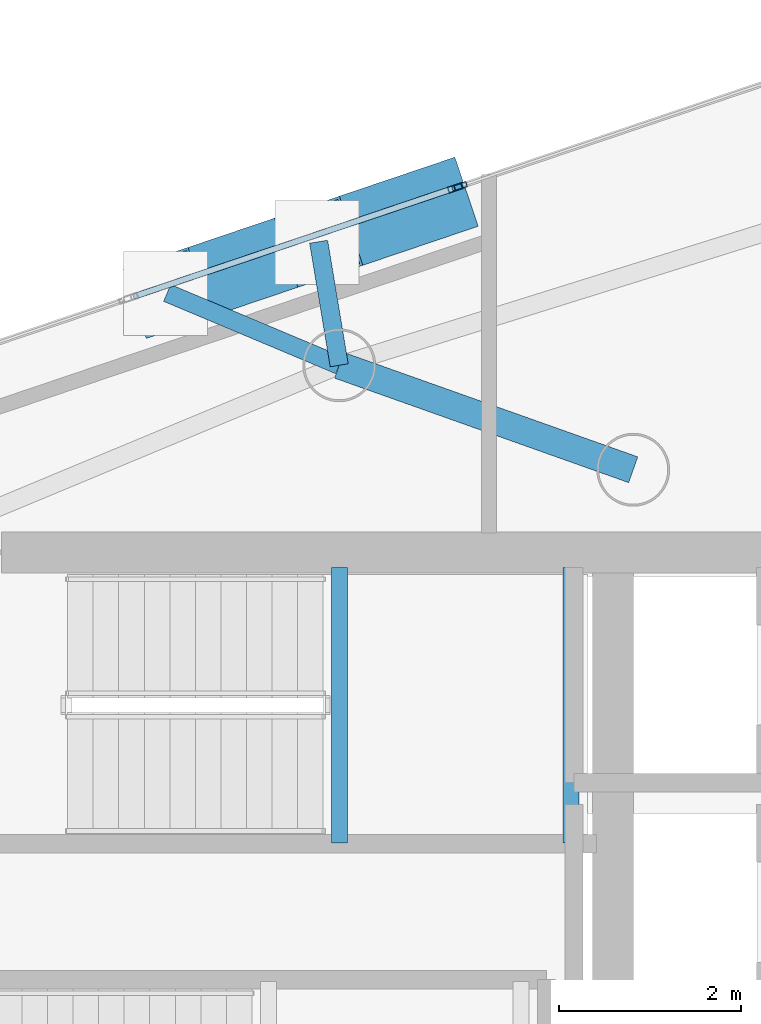
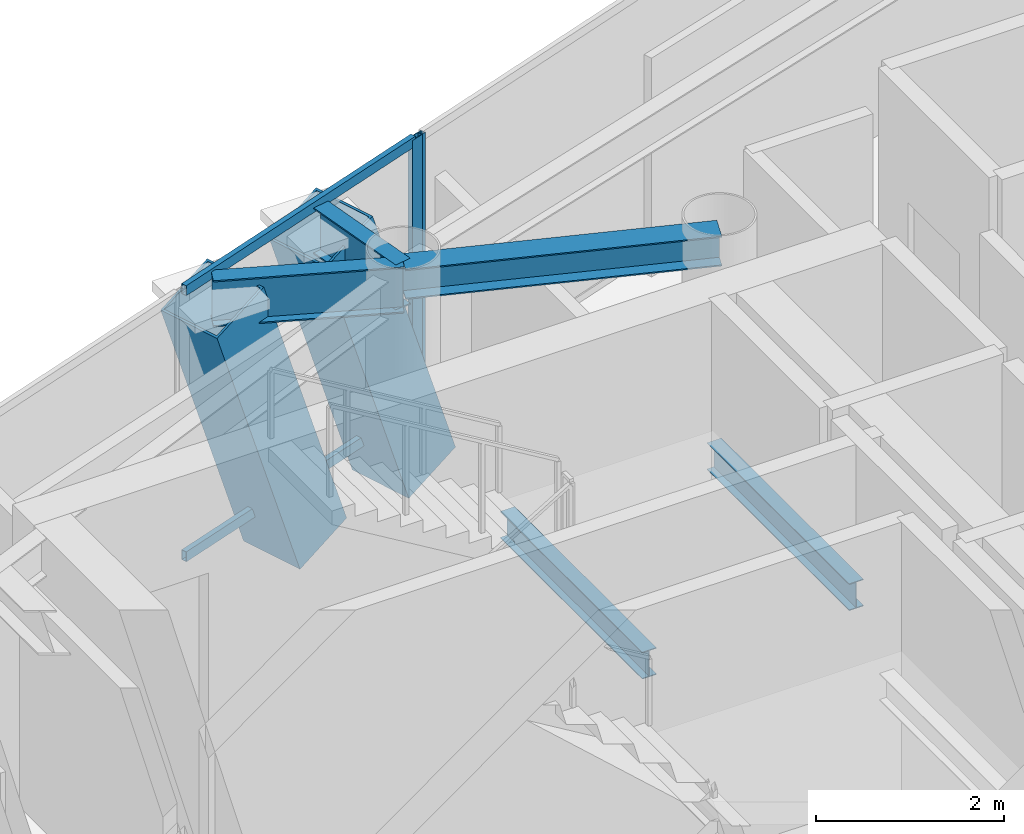
# One storey, part 13 of 19: 6 members, 5 beams, 2 elements without a shape of their own.
"""IFC4 building model written with IfcOpenShell, lengths in metres."""

import ifcopenshell
import ifcopenshell.guid

model = None  # the IFC model being written
_history = None  # IfcOwnerHistory: only IFC2X3 demands one
_inside = {}  # id of a spatial element -> (the spatial element, [elements in it])
_under = {}  # id of a project, library or spatial element -> (it, [spatial elements below it])
_declared = {}  # id of a project -> (the project, [libraries it declares])
_typed = {}  # id of a type object -> (the type object, [elements of that type])
_made_of = {}  # id of a material, layer set ... -> (it, [elements and type objects made of it])


def new_model(schema):
    """Start an empty IFC model of exactly this schema.

    Asked for "IFC4X3", IfcOpenShell would pick the latest addendum, in which some entities
    have other attributes; the version numbers below select the first issue.
    IFC2X3 requires an IfcOwnerHistory on every rooted entity: one is made here for all.
    """
    global model, _history
    if schema == "IFC4X3":
        model = ifcopenshell.file(schema_version=(4, 3, 0, 0))
    else:
        model = ifcopenshell.file(schema=schema)
    _inside.clear()
    _under.clear()
    _declared.clear()
    _typed.clear()
    _made_of.clear()
    _history = None
    if model.schema == "IFC2X3":
        org = make("IfcOrganization", Name="unknown")
        user = make(
            "IfcPersonAndOrganization",
            ThePerson=make("IfcPerson", FamilyName="unknown"),
            TheOrganization=org,
        )
        app = make(
            "IfcApplication",
            ApplicationDeveloper=org,
            Version="unknown",
            ApplicationFullName="unknown",
            ApplicationIdentifier="unknown",
        )
        _history = make(
            "IfcOwnerHistory",
            OwningUser=user,
            OwningApplication=app,
            ChangeAction="ADDED",
            CreationDate=0,
        )
    return model


def make(cls, **values):
    """One entity of the class cls with the attributes given. An attribute that is None is left unset."""
    return model.create_entity(
        cls, **{name: value for name, value in values.items() if value is not None}
    )


def rooted(cls, **values):
    """An entity with a GlobalId (a new one), such as an element, a storey or a relation."""
    return make(cls, GlobalId=ifcopenshell.guid.new(), OwnerHistory=_history, **values)


def si_unit(unit_type, name, prefix=None):
    """IfcSIUnit, for example si_unit("LENGTHUNIT", "METRE", prefix="MILLI")."""
    return make("IfcSIUnit", UnitType=unit_type, Prefix=prefix, Name=name)


def assignment(units):
    """IfcUnitAssignment: the units of a project."""
    return None if units is None else make("IfcUnitAssignment", Units=units)


def point(xyz):
    """IfcCartesianPoint."""
    return None if xyz is None else make("IfcCartesianPoint", Coordinates=xyz)


def direction(xyz):
    """IfcDirection."""
    return None if xyz is None else make("IfcDirection", DirectionRatios=xyz)


def frame(location, z_axis=None, x_axis=None):
    """IfcAxis2Placement3D, a coordinate frame: its origin and axes. An axis left out is left unset."""
    return make(
        "IfcAxis2Placement3D",
        Location=point(location),
        Axis=direction(z_axis),
        RefDirection=direction(x_axis),
    )


def frame_2d(location, x_axis=None):
    """IfcAxis2Placement2D, a coordinate frame in the plane: its origin and x axis."""
    return make(
        "IfcAxis2Placement2D", Location=point(location), RefDirection=direction(x_axis)
    )


def origin():
    """The frame at (0, 0, 0) with its axes left unset."""
    return frame((0.0, 0.0, 0.0))


def origin_2d():
    """The frame at (0, 0) in the plane with its x axis left unset."""
    return frame_2d((0.0, 0.0))


def place(relative_to, where):
    """IfcLocalPlacement: puts the frame where relative to a parent placement (None: the world)."""
    return make(
        "IfcLocalPlacement", PlacementRelTo=relative_to, RelativePlacement=where
    )


def context(
    kind, dimensions, precision=None, world=None, true_north=None, identifier=None
):
    """IfcGeometricRepresentationContext, for example the 3D "Model" context."""
    return make(
        "IfcGeometricRepresentationContext",
        ContextIdentifier=identifier,
        ContextType=kind,
        CoordinateSpaceDimension=dimensions,
        Precision=precision,
        WorldCoordinateSystem=world,
        TrueNorth=true_north,
    )


def subcontext(parent, identifier, kind, view, scale=None):
    """IfcGeometricRepresentationSubContext, for example "Body" below "Model"."""
    return make(
        "IfcGeometricRepresentationSubContext",
        ContextIdentifier=identifier,
        ContextType=kind,
        ParentContext=parent,
        TargetScale=scale,
        TargetView=view,
    )


def project(units=None, contexts=None):
    """IfcProject with its units and contexts."""
    return rooted(
        "IfcProject",
        Name="project",
        RepresentationContexts=contexts,
        UnitsInContext=assignment(units),
    )


def spatial(cls, under=None, at=None, **own):
    """A site, building, storey or space (cls), placed at a placement, below another one or the project."""
    s = rooted(cls, ObjectPlacement=at, **own)
    if under is not None:
        _under.setdefault(under.id(), (under, []))[1].append(s)
    return s


def profile(cls, at=None, kind="AREA", **sizes):
    """A parametric profile (cls). Its sizes go by their IFC names, for example OverallWidth=200.0."""
    return make(cls, ProfileType=kind, Position=at, **sizes)


def hollow_rectangle(**sizes):
    """IfcRectangleHollowProfileDef."""
    return profile("IfcRectangleHollowProfileDef", **sizes)


def i_section(**sizes):
    """IfcIShapeProfileDef."""
    return profile("IfcIShapeProfileDef", **sizes)


def extrude(swept, where, along, depth):
    """IfcExtrudedAreaSolid: the profile swept, set in the frame where, extruded along a direction by depth."""
    return make(
        "IfcExtrudedAreaSolid",
        SweptArea=swept,
        Position=where,
        ExtrudedDirection=direction(along),
        Depth=depth,
    )


def shape(context_of_items, identifier, shape_type, items):
    """IfcShapeRepresentation: the items that make up one representation, for example the "Body"."""
    return make(
        "IfcShapeRepresentation",
        ContextOfItems=context_of_items,
        RepresentationIdentifier=identifier,
        RepresentationType=shape_type,
        Items=items,
    )


def material(Name=None, Category=None):
    """IfcMaterial."""
    return make("IfcMaterial", Name=Name, Category=Category)


def layer(
    of_material, thickness, ventilated=None, Name=None, Category=None, Priority=None
):
    """IfcMaterialLayer: one layer of a wall or slab, of a material (None: an air gap)."""
    return make(
        "IfcMaterialLayer",
        Material=of_material,
        LayerThickness=thickness,
        IsVentilated=ventilated,
        Name=Name,
        Category=Category,
        Priority=Priority,
    )


def layer_set(layers, Name=None):
    """IfcMaterialLayerSet."""
    return make("IfcMaterialLayerSet", MaterialLayers=layers, LayerSetName=Name)


def material_profile(
    of_material, cross_section, Name=None, Category=None, Priority=None
):
    """IfcMaterialProfile: a cross section and its material."""
    return make(
        "IfcMaterialProfile",
        Name=Name,
        Material=of_material,
        Profile=cross_section,
        Priority=Priority,
        Category=Category,
    )


def profile_set(profiles, Name=None, composite=None):
    """IfcMaterialProfileSet."""
    return make(
        "IfcMaterialProfileSet",
        Name=Name,
        MaterialProfiles=profiles,
        CompositeProfile=composite,
    )


def made_of(thing, what):
    """Note that an element or type object is made of a material, layer set ...; save() writes the relation."""
    if what is not None:
        _made_of.setdefault(what.id(), (what, []))[1].append(thing)
    return thing


def type_object(cls, material=None, **own):
    """A type object (cls), such as IfcWallType, which elements share."""
    return made_of(rooted(cls, **own), material)


def element(
    cls,
    number,
    at=None,
    inside=None,
    cuts=None,
    type_object=None,
    material=None,
    context=None,
    identifier="Body",
    shape_type=None,
    held_by="IfcProductDefinitionShape",
    body=None,
    shapes=None,
    **own,
):
    """One element of the class cls, such as IfcWall. Its Tag is "e" and its number.

    at: its placement. inside: the storey or other place that contains it. cuts: it is an
    opening in that element (IfcRelVoidsElement). A single representation is given by context,
    identifier, shape_type and body (its items); several are given by shapes. held_by: the class
    of the entity that holds the representations. save() writes the other relations.
    """
    e = rooted(cls, Tag="e%d" % number, ObjectPlacement=at, **own)
    if body is not None:
        shapes = [shape(context, identifier, shape_type, body)]
    if shapes is not None:
        e.Representation = make(held_by, Representations=shapes)
    if inside is not None:
        _inside.setdefault(inside.id(), (inside, []))[1].append(e)
    if cuts is not None:
        rooted(
            "IfcRelVoidsElement", RelatingBuildingElement=cuts, RelatedOpeningElement=e
        )
    if type_object is not None:
        _typed.setdefault(type_object.id(), (type_object, []))[1].append(e)
    return made_of(e, material)


def aggregate(whole, parts):
    """IfcRelAggregates: a whole, such as a stair, and the parts it consists of."""
    return rooted("IfcRelAggregates", RelatingObject=whole, RelatedObjects=parts)


def save(model, path):
    """Write the relations noted so far, then the file.

    IfcRelAggregates (storeys below a building ...), IfcRelContainedInSpatialStructure (elements
    in a storey), IfcRelDefinesByType, IfcRelAssociatesMaterial and IfcRelDeclares: one each for
    every whole, place, type object, material and project.
    """
    for whole, parts in _under.values():
        aggregate(whole, parts)
    for where, things in _inside.values():
        rooted(
            "IfcRelContainedInSpatialStructure",
            RelatedElements=things,
            RelatingStructure=where,
        )
    for kind, things in _typed.values():
        rooted("IfcRelDefinesByType", RelatedObjects=things, RelatingType=kind)
    for what, things in _made_of.values():
        rooted("IfcRelAssociatesMaterial", RelatedObjects=things, RelatingMaterial=what)
    for by, libraries in _declared.values():
        rooted("IfcRelDeclares", RelatingContext=by, RelatedDefinitions=libraries)
    model.write(path)


model = new_model("IFC4")

# Units and contexts
model_context = context("Model", 3, precision=1e-05, world=origin(), true_north=direction((0.0, 1.0)))
body_context = subcontext(model_context, "Body", "Model", "MODEL_VIEW")
ifc_project = project(units=[si_unit("LENGTHUNIT", "METRE"), si_unit("AREAUNIT", "SQUARE_METRE"), si_unit("VOLUMEUNIT", "CUBIC_METRE"), si_unit("PLANEANGLEUNIT", "RADIAN"), si_unit("MASSUNIT", "GRAM", prefix="KILO")], contexts=[model_context])

# Site, building, storey
site_placement = place(None, origin())
site = spatial("IfcSite", under=ifc_project, at=site_placement, CompositionType="ELEMENT")
building_placement = place(site_placement, origin())
building = spatial("IfcBuilding", under=site, at=building_placement, Name="Qianvela Tower", CompositionType="ELEMENT")
storey_placement = place(building_placement, frame((0.0, 0.0, 333.300048828125)))
storey = spatial("IfcBuildingStorey", under=building, at=storey_placement, Name="L86", CompositionType="ELEMENT", Elevation=333.300048828125)

# Beams
ifc_material_1 = material(Name="Steel Q355B", Category="steel")
ifc_material_profile_1 = material_profile(ifc_material_1, i_section(OverallWidth=0.300048828125, OverallDepth=0.389892578125, WebThickness=0.010009765625, FlangeThickness=0.01611328125, at=origin_2d()), Name="HM390x300x10x16")
ifc_profile_set_1 = profile_set([ifc_material_profile_1], Name="Steel Q355B")
beam_type_1 = type_object("IfcBeamType", Name="BM-HM390-COLL", PredefinedType="BEAM", material=ifc_profile_set_1)
beam_1_placement = place(storey_placement, frame((38.39990234375, 33.550048828125, 3.322998046875), z_axis=(-0.942297777183, 0.334775893871, 0.0), x_axis=(-0.334775893871, -0.942297777183, 0.0)))
element("IfcBeam", 1, at=beam_1_placement, inside=storey, type_object=beam_type_1, Name="L86 Radial Primary Floor Girder 2", PredefinedType="BEAM", context=body_context, shape_type="SweptSolid", body=[
    extrude(i_section(OverallWidth=0.300048828125, OverallDepth=0.389892578125, WebThickness=0.010009765625, FlangeThickness=0.01611328125, at=origin_2d()), origin(), (0.0, 0.0, 1.0), 3.420166015625),
])
ifc_material_2 = material(Name="Steel Q355B", Category="steel")
ifc_material_profile_2 = material_profile(ifc_material_2, i_section(OverallWidth=0.175048828125, OverallDepth=0.35009765625, WebThickness=0.007080078125, FlangeThickness=0.010986328125, at=origin_2d()), Name="HN350x175x7x11")
ifc_profile_set_2 = profile_set([ifc_material_profile_2], Name="Steel Q355B")
beam_type_2 = type_object("IfcBeamType", Name="BM-HN350-JOIST", PredefinedType="JOIST", material=ifc_profile_set_2)
for number, where, z_axis, x_axis, name in (
    (2, (35.179931640625, 29.4599609375, 1.474853515625), (0.0, 1.0, 0.0), (-1.0, 0.0, 0.0), "L86 Stair ST-1 Landing Support Beam 1.1"),
    (3, (37.719970703125, 29.4599609375, 1.474853515625), (0.0, 1.0, 0.0), (-1.0, 0.0, 0.0), "L86 Stair ST-1 Landing Support Beam 1.2"),
):
    element("IfcBeam", number, at=place(storey_placement, frame(where, z_axis=z_axis, x_axis=x_axis)), inside=storey, type_object=beam_type_2, Name=name, PredefinedType="JOIST", context=body_context, shape_type="SweptSolid", body=[
        extrude(i_section(OverallWidth=0.175048828125, OverallDepth=0.35009765625, WebThickness=0.007080078125, FlangeThickness=0.010986328125, at=origin_2d()), origin(), (0.0, 0.0, 1.0), 3.02001953125),
    ])
ifc_material_3 = material(Name="Steel Q355B", Category="steel")
ifc_material_profile_3 = material_profile(ifc_material_3, i_section(OverallWidth=0.199951171875, OverallDepth=0.60009765625, WebThickness=0.010986328125, FlangeThickness=0.01708984375, at=origin_2d()), Name="HN600x200x11x17")
ifc_profile_set_3 = profile_set([ifc_material_profile_3], Name="Steel Q355B")
beam_type_3 = type_object("IfcBeamType", Name="BM-HN600-GIRD", PredefinedType="BEAM", material=ifc_profile_set_3)
beam_2_placement = place(storey_placement, frame((35.177001953125, 34.695068359375, 3.218017578125), z_axis=(-0.164485494749, 0.986379502026, 0.0), x_axis=(-0.986379502026, -0.164485494749, 0.0)))
element("IfcBeam", 4, at=beam_2_placement, inside=storey, type_object=beam_type_3, Name="L86 Mega-Brace Column Tie Bracket F1-1", PredefinedType="BEAM", context=body_context, shape_type="SweptSolid", body=[
    extrude(i_section(OverallWidth=0.199951171875, OverallDepth=0.60009765625, WebThickness=0.010986328125, FlangeThickness=0.01708984375, at=origin_2d()), origin(), (0.0, 0.0, 1.0), 1.373046875),
])
beam_3_placement = place(storey_placement, frame((35.177001953125, 34.695068359375, 3.218017578125), z_axis=(-0.921875556385, 0.387486075286, 0.0), x_axis=(-0.387486075286, -0.921875556385, 0.0)))
element("IfcBeam", 5, at=beam_3_placement, inside=storey, type_object=beam_type_3, Name="L86 Mega-Brace Column Tie Bracket F1-2", PredefinedType="BEAM", context=body_context, shape_type="SweptSolid", body=[
    extrude(i_section(OverallWidth=0.199951171875, OverallDepth=0.60009765625, WebThickness=0.010986328125, FlangeThickness=0.01708984375, at=origin_2d()), origin(), (0.0, 0.0, 1.0), 2.0458984375),
])

# Curtain wall, members
ifc_material_4 = material(Name="Anodised Architectural Aluminium and Insulated Spandrel Panel", Category="aluminium")
ifc_layer_1 = layer(ifc_material_4, 0.179931640625)
ifc_layer_set_1 = layer_set([ifc_layer_1], Name="Anodised Architectural Aluminium and Insulated Spandrel Panel")
curtain_wall_type_1 = type_object("IfcCurtainWallType", Name="CW-BRACEBAY", PredefinedType="USERDEFINED", material=ifc_layer_set_1)
curtain_wall_1_placement = place(storey_placement, origin())
curtain_wall_1 = element("IfcCurtainWall", 6, at=curtain_wall_1_placement, inside=storey, type_object=curtain_wall_type_1, Name="L86 CW-BRACEBAY Curtain Wall 02B", ObjectType="CURTAIN_WALL_SYSTEM", PredefinedType="USERDEFINED")
ifc_material_5 = material(Name="Anodised Architectural Aluminium 6063-T6", Category="aluminium")
ifc_material_profile_4 = material_profile(ifc_material_5, hollow_rectangle(XDim=0.06494140625, YDim=0.159912109375, WallThickness=0.0048828125, at=origin_2d()), Name="ALU-MULL-65x160")
ifc_profile_set_4 = profile_set([ifc_material_profile_4], Name="Anodised Architectural Aluminium 6063-T6")
member_type_1 = type_object("IfcMemberType", Name="CW-BRACEBAY-MULL", PredefinedType="MULLION", material=ifc_profile_set_4)
member_1_placement = place(storey_placement, frame((36.447998046875, 36.639892578125, 0.0), z_axis=(0.0, 0.0, 1.0), x_axis=(0.320394896863, -0.947284070416, 0.0)))
member_1 = element("IfcMember", 7, at=member_1_placement, type_object=member_type_1, Name="CW-9 mullion 1", PredefinedType="MULLION", context=body_context, shape_type="SweptSolid", body=[
    extrude(hollow_rectangle(XDim=0.06494140625, YDim=0.159912109375, WallThickness=0.0048828125, at=origin_2d()), origin(), (0.0, 0.0, 1.0), 3.52001953125),
])
ifc_material_6 = material(Name="Anodised Architectural Aluminium 6063-T6", Category="aluminium")
ifc_material_profile_5 = material_profile(ifc_material_6, hollow_rectangle(XDim=0.06494140625, YDim=0.1298828125, WallThickness=0.00439453125, at=origin_2d()), Name="ALU-TRAN-65x130")
ifc_profile_set_5 = profile_set([ifc_material_profile_5], Name="Anodised Architectural Aluminium 6063-T6")
member_type_2 = type_object("IfcMemberType", Name="CW-BRACEBAY-TRAN", PredefinedType="USERDEFINED", material=ifc_profile_set_5)
member_2_placement = place(storey_placement, frame((36.417236328125, 36.62939453125, 0.032470703125), z_axis=(-0.947298158894, -0.320353239654, 0.0), x_axis=(0.320353239654, -0.947298158894, 0.0)))
member_2 = element("IfcMember", 8, at=member_2_placement, type_object=member_type_2, Name="CW-9 transom 1.1", ObjectType="TRANSOM", PredefinedType="USERDEFINED", context=body_context, shape_type="SweptSolid", body=[
    extrude(hollow_rectangle(XDim=0.06494140625, YDim=0.1298828125, WallThickness=0.00439453125, at=origin_2d()), origin(), (0.0, 0.0, 1.0), 3.690185546875),
])
member_3_placement = place(storey_placement, frame((36.417236328125, 36.62939453125, 3.487548828125), z_axis=(-0.947298158894, -0.320353239654, 0.0), x_axis=(0.320353239654, -0.947298158894, 0.0)))
member_3 = element("IfcMember", 9, at=member_3_placement, type_object=member_type_2, Name="CW-9 transom 1.2", ObjectType="TRANSOM", PredefinedType="USERDEFINED", context=body_context, shape_type="SweptSolid", body=[
    extrude(hollow_rectangle(XDim=0.06494140625, YDim=0.1298828125, WallThickness=0.00439453125, at=origin_2d()), origin(), (0.0, 0.0, 1.0), 3.690185546875),
])
aggregate(curtain_wall_1, [member_1, member_2, member_3])

# Curtain wall, member
ifc_material_7 = material(Name="Anodised Architectural Aluminium and Low-E Glass", Category="aluminium")
ifc_layer_2 = layer(ifc_material_7, 0.14990234375)
ifc_layer_set_2 = layer_set([ifc_layer_2], Name="Anodised Architectural Aluminium and Low-E Glass")
curtain_wall_type_2 = type_object("IfcCurtainWallType", Name="CW-COLIV-Z78", PredefinedType="USERDEFINED", material=ifc_layer_set_2)
curtain_wall_2_placement = place(storey_placement, origin())
curtain_wall_2 = element("IfcCurtainWall", 10, at=curtain_wall_2_placement, inside=storey, type_object=curtain_wall_type_2, Name="L86 CW-COLIV-Z78 Curtain Wall 02A", ObjectType="CURTAIN_WALL_SYSTEM", PredefinedType="USERDEFINED")
ifc_material_8 = material(Name="Anodised Architectural Aluminium 6063-T6", Category="aluminium")
ifc_material_profile_6 = material_profile(ifc_material_8, hollow_rectangle(XDim=0.06005859375, YDim=0.139892578125, WallThickness=0.00439453125, at=origin_2d()), Name="ALU-MULL-60x140")
ifc_profile_set_6 = profile_set([ifc_material_profile_6], Name="Anodised Architectural Aluminium 6063-T6")
member_type_3 = type_object("IfcMemberType", Name="CW-COLIV-Z78-MULL", PredefinedType="MULLION", material=ifc_profile_set_6)
member_4_placement = place(storey_placement, frame((36.507080078125, 36.659912109375, 0.0), z_axis=(0.0, 0.0, 1.0), x_axis=(0.320400301602, -0.947282242382, 0.0)))
member_4 = element("IfcMember", 11, at=member_4_placement, type_object=member_type_3, Name="CW-6 mullion 3", PredefinedType="MULLION", context=body_context, shape_type="SweptSolid", body=[
    extrude(hollow_rectangle(XDim=0.06005859375, YDim=0.139892578125, WallThickness=0.00439453125, at=origin_2d()), origin(), (0.0, 0.0, 1.0), 3.52001953125),
])
aggregate(curtain_wall_2, [member_4])

# Members
ifc_material_9 = material(Name="Steel Q420GJC", Category="steel")
ifc_material_profile_7 = material_profile(ifc_material_9, hollow_rectangle(XDim=0.800048828125, YDim=0.800048828125, WallThickness=0.028076171875, at=origin_2d()), Name="MBOX-800x800x28")
ifc_profile_set_7 = profile_set([ifc_material_profile_7], Name="Steel Q420GJC")
member_type_4 = type_object("IfcMemberType", Name="MBR-MBRACE-800", PredefinedType="BRACE", material=ifc_profile_set_7)
for number, where, z_axis, x_axis, name in (
    (12, (36.216552734375, 36.477294921875, -0.48193359375), (-0.321677039231, -0.108797964455, 0.940577952836), (0.320391819423, -0.947285111277, 0.0), "L86 Tier 14 Exterior Mega-Brace F1A"),
    (13, (34.556396484375, 35.915771484375, -0.48193359375), (-0.321677039231, -0.108797964455, 0.940577952836), (0.320391819423, -0.947285111277, 0.0), "L86 Tier 14 Exterior Mega-Brace F1B"),
):
    element("IfcMember", number, at=place(storey_placement, frame(where, z_axis=z_axis, x_axis=x_axis)), inside=storey, type_object=member_type_4, Name=name, PredefinedType="BRACE", context=body_context, shape_type="SweptSolid", body=[
        extrude(hollow_rectangle(XDim=0.800048828125, YDim=0.800048828125, WallThickness=0.028076171875, at=origin_2d()), origin(), (0.0, 0.0, 1.0), 3.93359375),
    ])

save(model, "model.ifc")
